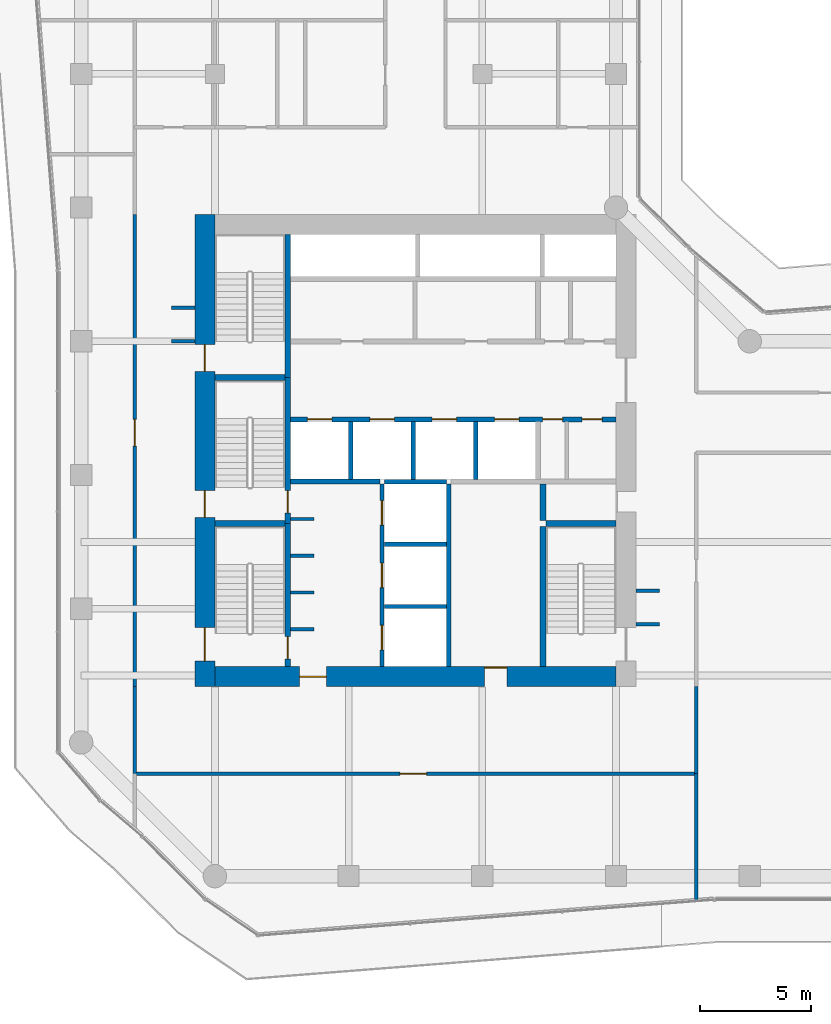
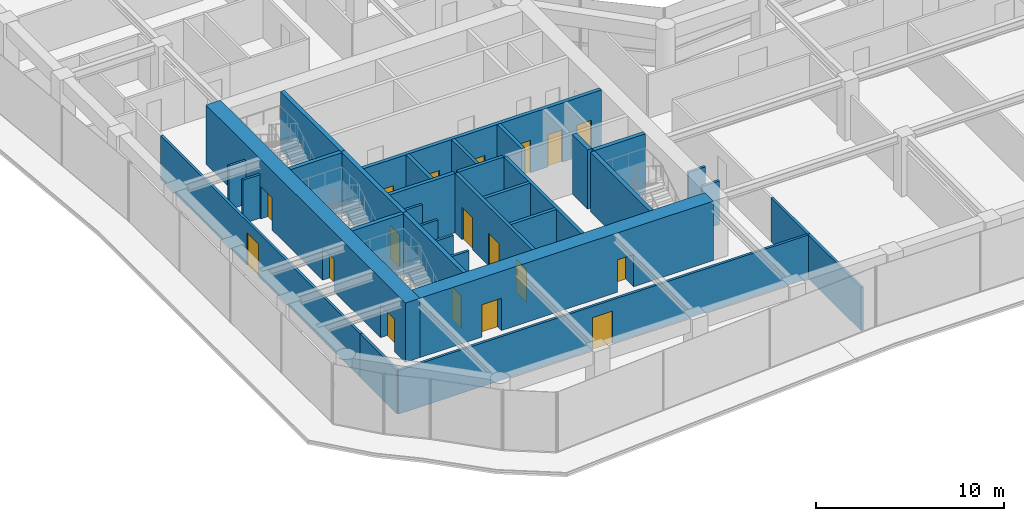
# One storey, part 22 of 28: 33 walls, 18 doors, 18 openings.
"""IFC4 building model written with IfcOpenShell, lengths in metres."""

import ifcopenshell
import ifcopenshell.guid

model = None  # the IFC model being written
_history = None  # IfcOwnerHistory: only IFC2X3 demands one
_inside = {}  # id of a spatial element -> (the spatial element, [elements in it])
_under = {}  # id of a project, library or spatial element -> (it, [spatial elements below it])
_declared = {}  # id of a project -> (the project, [libraries it declares])
_typed = {}  # id of a type object -> (the type object, [elements of that type])
_made_of = {}  # id of a material, layer set ... -> (it, [elements and type objects made of it])


def new_model(schema):
    """Start an empty IFC model of exactly this schema.

    Asked for "IFC4X3", IfcOpenShell would pick the latest addendum, in which some entities
    have other attributes; the version numbers below select the first issue.
    IFC2X3 requires an IfcOwnerHistory on every rooted entity: one is made here for all.
    """
    global model, _history
    if schema == "IFC4X3":
        model = ifcopenshell.file(schema_version=(4, 3, 0, 0))
    else:
        model = ifcopenshell.file(schema=schema)
    _inside.clear()
    _under.clear()
    _declared.clear()
    _typed.clear()
    _made_of.clear()
    _history = None
    if model.schema == "IFC2X3":
        org = make("IfcOrganization", Name="unknown")
        user = make(
            "IfcPersonAndOrganization",
            ThePerson=make("IfcPerson", FamilyName="unknown"),
            TheOrganization=org,
        )
        app = make(
            "IfcApplication",
            ApplicationDeveloper=org,
            Version="unknown",
            ApplicationFullName="unknown",
            ApplicationIdentifier="unknown",
        )
        _history = make(
            "IfcOwnerHistory",
            OwningUser=user,
            OwningApplication=app,
            ChangeAction="ADDED",
            CreationDate=0,
        )
    return model


def make(cls, **values):
    """One entity of the class cls with the attributes given. An attribute that is None is left unset."""
    return model.create_entity(
        cls, **{name: value for name, value in values.items() if value is not None}
    )


def rooted(cls, **values):
    """An entity with a GlobalId (a new one), such as an element, a storey or a relation."""
    return make(cls, GlobalId=ifcopenshell.guid.new(), OwnerHistory=_history, **values)


def si_unit(unit_type, name, prefix=None):
    """IfcSIUnit, for example si_unit("LENGTHUNIT", "METRE", prefix="MILLI")."""
    return make("IfcSIUnit", UnitType=unit_type, Prefix=prefix, Name=name)


def assignment(units):
    """IfcUnitAssignment: the units of a project."""
    return None if units is None else make("IfcUnitAssignment", Units=units)


def point(xyz):
    """IfcCartesianPoint."""
    return None if xyz is None else make("IfcCartesianPoint", Coordinates=xyz)


def direction(xyz):
    """IfcDirection."""
    return None if xyz is None else make("IfcDirection", DirectionRatios=xyz)


def frame(location, z_axis=None, x_axis=None):
    """IfcAxis2Placement3D, a coordinate frame: its origin and axes. An axis left out is left unset."""
    return make(
        "IfcAxis2Placement3D",
        Location=point(location),
        Axis=direction(z_axis),
        RefDirection=direction(x_axis),
    )


def frame_2d(location, x_axis=None):
    """IfcAxis2Placement2D, a coordinate frame in the plane: its origin and x axis."""
    return make(
        "IfcAxis2Placement2D", Location=point(location), RefDirection=direction(x_axis)
    )


def origin():
    """The frame at (0, 0, 0) with its axes left unset."""
    return frame((0.0, 0.0, 0.0))


def place(relative_to, where):
    """IfcLocalPlacement: puts the frame where relative to a parent placement (None: the world)."""
    return make(
        "IfcLocalPlacement", PlacementRelTo=relative_to, RelativePlacement=where
    )


def context(
    kind, dimensions, precision=None, world=None, true_north=None, identifier=None
):
    """IfcGeometricRepresentationContext, for example the 3D "Model" context."""
    return make(
        "IfcGeometricRepresentationContext",
        ContextIdentifier=identifier,
        ContextType=kind,
        CoordinateSpaceDimension=dimensions,
        Precision=precision,
        WorldCoordinateSystem=world,
        TrueNorth=true_north,
    )


def subcontext(parent, identifier, kind, view, scale=None):
    """IfcGeometricRepresentationSubContext, for example "Body" below "Model"."""
    return make(
        "IfcGeometricRepresentationSubContext",
        ContextIdentifier=identifier,
        ContextType=kind,
        ParentContext=parent,
        TargetScale=scale,
        TargetView=view,
    )


def project(units=None, contexts=None):
    """IfcProject with its units and contexts."""
    return rooted(
        "IfcProject",
        Name="project",
        RepresentationContexts=contexts,
        UnitsInContext=assignment(units),
    )


def spatial(cls, under=None, at=None, **own):
    """A site, building, storey or space (cls), placed at a placement, below another one or the project."""
    s = rooted(cls, ObjectPlacement=at, **own)
    if under is not None:
        _under.setdefault(under.id(), (under, []))[1].append(s)
    return s


def profile(cls, at=None, kind="AREA", **sizes):
    """A parametric profile (cls). Its sizes go by their IFC names, for example OverallWidth=200.0."""
    return make(cls, ProfileType=kind, Position=at, **sizes)


def rectangle(**sizes):
    """IfcRectangleProfileDef."""
    return profile("IfcRectangleProfileDef", **sizes)


def extrude(swept, where, along, depth):
    """IfcExtrudedAreaSolid: the profile swept, set in the frame where, extruded along a direction by depth."""
    return make(
        "IfcExtrudedAreaSolid",
        SweptArea=swept,
        Position=where,
        ExtrudedDirection=direction(along),
        Depth=depth,
    )


def shape(context_of_items, identifier, shape_type, items):
    """IfcShapeRepresentation: the items that make up one representation, for example the "Body"."""
    return make(
        "IfcShapeRepresentation",
        ContextOfItems=context_of_items,
        RepresentationIdentifier=identifier,
        RepresentationType=shape_type,
        Items=items,
    )


def material(Name=None, Category=None):
    """IfcMaterial."""
    return make("IfcMaterial", Name=Name, Category=Category)


def layer(
    of_material, thickness, ventilated=None, Name=None, Category=None, Priority=None
):
    """IfcMaterialLayer: one layer of a wall or slab, of a material (None: an air gap)."""
    return make(
        "IfcMaterialLayer",
        Material=of_material,
        LayerThickness=thickness,
        IsVentilated=ventilated,
        Name=Name,
        Category=Category,
        Priority=Priority,
    )


def layer_set(layers, Name=None):
    """IfcMaterialLayerSet."""
    return make("IfcMaterialLayerSet", MaterialLayers=layers, LayerSetName=Name)


def made_of(thing, what):
    """Note that an element or type object is made of a material, layer set ...; save() writes the relation."""
    if what is not None:
        _made_of.setdefault(what.id(), (what, []))[1].append(thing)
    return thing


def type_object(cls, material=None, **own):
    """A type object (cls), such as IfcWallType, which elements share."""
    return made_of(rooted(cls, **own), material)


def element(
    cls,
    number,
    at=None,
    inside=None,
    cuts=None,
    type_object=None,
    material=None,
    context=None,
    identifier="Body",
    shape_type=None,
    held_by="IfcProductDefinitionShape",
    body=None,
    shapes=None,
    **own,
):
    """One element of the class cls, such as IfcWall. Its Tag is "e" and its number.

    at: its placement. inside: the storey or other place that contains it. cuts: it is an
    opening in that element (IfcRelVoidsElement). A single representation is given by context,
    identifier, shape_type and body (its items); several are given by shapes. held_by: the class
    of the entity that holds the representations. save() writes the other relations.
    """
    e = rooted(cls, Tag="e%d" % number, ObjectPlacement=at, **own)
    if body is not None:
        shapes = [shape(context, identifier, shape_type, body)]
    if shapes is not None:
        e.Representation = make(held_by, Representations=shapes)
    if inside is not None:
        _inside.setdefault(inside.id(), (inside, []))[1].append(e)
    if cuts is not None:
        rooted(
            "IfcRelVoidsElement", RelatingBuildingElement=cuts, RelatedOpeningElement=e
        )
    if type_object is not None:
        _typed.setdefault(type_object.id(), (type_object, []))[1].append(e)
    return made_of(e, material)


def fill(opening, filler):
    """IfcRelFillsElement: the door or window that sits in an opening."""
    return rooted(
        "IfcRelFillsElement",
        RelatingOpeningElement=opening,
        RelatedBuildingElement=filler,
    )


def aggregate(whole, parts):
    """IfcRelAggregates: a whole, such as a stair, and the parts it consists of."""
    return rooted("IfcRelAggregates", RelatingObject=whole, RelatedObjects=parts)


def save(model, path):
    """Write the relations noted so far, then the file.

    IfcRelAggregates (storeys below a building ...), IfcRelContainedInSpatialStructure (elements
    in a storey), IfcRelDefinesByType, IfcRelAssociatesMaterial and IfcRelDeclares: one each for
    every whole, place, type object, material and project.
    """
    for whole, parts in _under.values():
        aggregate(whole, parts)
    for where, things in _inside.values():
        rooted(
            "IfcRelContainedInSpatialStructure",
            RelatedElements=things,
            RelatingStructure=where,
        )
    for kind, things in _typed.values():
        rooted("IfcRelDefinesByType", RelatedObjects=things, RelatingType=kind)
    for what, things in _made_of.values():
        rooted("IfcRelAssociatesMaterial", RelatedObjects=things, RelatingMaterial=what)
    for by, libraries in _declared.values():
        rooted("IfcRelDeclares", RelatingContext=by, RelatedDefinitions=libraries)
    model.write(path)


model = new_model("IFC4")

# Units and contexts
model_context = context("Model", 3, precision=1e-05, world=origin(), true_north=direction((0.0, 1.0)))
body_context = subcontext(model_context, "Body", "Model", "MODEL_VIEW")
ifc_project = project(units=[si_unit("LENGTHUNIT", "METRE"), si_unit("AREAUNIT", "SQUARE_METRE"), si_unit("VOLUMEUNIT", "CUBIC_METRE"), si_unit("PLANEANGLEUNIT", "RADIAN"), si_unit("MASSUNIT", "GRAM", prefix="KILO")], contexts=[model_context])

# Site, building, storey
site_placement = place(None, origin())
site = spatial("IfcSite", under=ifc_project, at=site_placement, CompositionType="ELEMENT")
building_placement = place(site_placement, origin())
building = spatial("IfcBuilding", under=site, at=building_placement, Name="Welwitschia Terrace Campus", CompositionType="ELEMENT")
storey_placement = place(building_placement, frame((0.0, 0.0, 71.0)))
storey = spatial("IfcBuildingStorey", under=building, at=storey_placement, Name="L16", CompositionType="ELEMENT", Elevation=71.0)

# Wall
ifc_material_1 = material(Name="Concrete C32/40", Category="concrete")
ifc_layer_1 = layer(ifc_material_1, 0.22509765625)
ifc_layer_set_1 = layer_set([ifc_layer_1], Name="Concrete C32/40")
wall_type_1 = type_object("IfcWallType", Name="Core partition 225 Concrete C32/40", PredefinedType="PARTITIONING", material=ifc_layer_set_1)
wall_1_placement = place(storey_placement, frame((9.39990234375, 13.699951171875, 0.0), z_axis=(0.0, 0.0, 1.0), x_axis=(1.0, 0.0, 0.0)))
element("IfcWall", 1, at=wall_1_placement, inside=storey, type_object=wall_type_1, Name="Shaft wall", PredefinedType="PARTITIONING", context=body_context, shape_type="SweptSolid", body=[
    extrude(rectangle(XDim=4.0, YDim=0.22509765625, at=frame_2d((2.0, 0.0))), origin(), (0.0, 0.0, 1.0), 3.85009765625),
])

# Wall, openings, doors
wall_2_placement = place(storey_placement, frame((9.39990234375, 16.5, 0.0), z_axis=(0.0, 0.0, 1.0), x_axis=(1.0, 0.0, 0.0)))
wall_2 = element("IfcWall", 2, at=wall_2_placement, inside=storey, type_object=wall_type_1, Name="Shaft wall", PredefinedType="PARTITIONING", context=body_context, shape_type="SweptSolid", body=[
    extrude(rectangle(XDim=14.60009765625, YDim=0.22509765625, at=frame_2d((7.300048828125, 0.0))), origin(), (0.0, 0.0, 1.0), 3.85009765625),
])
opening_1_placement = place(wall_2_placement, frame((0.75, 0.0, 0.0)))
opening_1 = element("IfcOpeningElement", 3, at=opening_1_placement, cuts=wall_2, Name="Opening LD", PredefinedType="OPENING", context=body_context, shape_type="SweptSolid", body=[
    extrude(rectangle(XDim=1.10009765625, YDim=2.10009765625, at=frame_2d((0.550048828125, 1.050048828125))), frame((0.0, 0.12255859375, 0.0), z_axis=(0.0, -1.0, 0.0), x_axis=(1.0, 0.0, 0.0)), (0.0, 0.0, 1.0), 0.2451171875),
])
opening_2_placement = place(wall_2_placement, frame((3.550048828125, 0.0, 0.0)))
opening_2 = element("IfcOpeningElement", 4, at=opening_2_placement, cuts=wall_2, Name="Opening LD", PredefinedType="OPENING", context=body_context, shape_type="SweptSolid", body=[
    extrude(rectangle(XDim=1.10009765625, YDim=2.10009765625, at=frame_2d((0.550048828125, 1.050048828125))), frame((0.0, 0.12255859375, 0.0), z_axis=(0.0, -1.0, 0.0), x_axis=(1.0, 0.0, 0.0)), (0.0, 0.0, 1.0), 0.2451171875),
])
opening_3_placement = place(wall_2_placement, frame((6.35009765625, 0.0, 0.0)))
opening_3 = element("IfcOpeningElement", 5, at=opening_3_placement, cuts=wall_2, Name="Opening LD", PredefinedType="OPENING", context=body_context, shape_type="SweptSolid", body=[
    extrude(rectangle(XDim=1.10009765625, YDim=2.10009765625, at=frame_2d((0.550048828125, 1.050048828125))), frame((0.0, 0.12255859375, 0.0), z_axis=(0.0, -1.0, 0.0), x_axis=(1.0, 0.0, 0.0)), (0.0, 0.0, 1.0), 0.2451171875),
])
opening_4_placement = place(wall_2_placement, frame((9.14990234375, 0.0, 0.0)))
opening_4 = element("IfcOpeningElement", 6, at=opening_4_placement, cuts=wall_2, Name="Opening LD", PredefinedType="OPENING", context=body_context, shape_type="SweptSolid", body=[
    extrude(rectangle(XDim=1.10009765625, YDim=2.10009765625, at=frame_2d((0.550048828125, 1.050048828125))), frame((0.0, 0.12255859375, 0.0), z_axis=(0.0, -1.0, 0.0), x_axis=(1.0, 0.0, 0.0)), (0.0, 0.0, 1.0), 0.2451171875),
])
opening_5_placement = place(wall_2_placement, frame((11.3076171875, 0.0, 0.0)))
opening_5 = element("IfcOpeningElement", 7, at=opening_5_placement, cuts=wall_2, Name="Opening DR09", PredefinedType="OPENING", context=body_context, shape_type="SweptSolid", body=[
    extrude(rectangle(XDim=0.89990234375, YDim=2.10009765625, at=frame_2d((0.449951171875, 1.050048828125))), frame((0.0, 0.12255859375, 0.0), z_axis=(0.0, -1.0, 0.0), x_axis=(1.0, 0.0, 0.0)), (0.0, 0.0, 1.0), 0.2451171875),
])
opening_6_placement = place(wall_2_placement, frame((13.08251953125, 0.0, 0.0)))
opening_6 = element("IfcOpeningElement", 8, at=opening_6_placement, cuts=wall_2, Name="Opening DR09", PredefinedType="OPENING", context=body_context, shape_type="SweptSolid", body=[
    extrude(rectangle(XDim=0.89990234375, YDim=2.10009765625, at=frame_2d((0.449951171875, 1.050048828125))), frame((0.0, 0.12255859375, 0.0), z_axis=(0.0, -1.0, 0.0), x_axis=(1.0, 0.0, 0.0)), (0.0, 0.0, 1.0), 0.2451171875),
])
ifc_material_2 = material(Name="Steel S275", Category="steel")
door_type_1 = type_object("IfcDoorType", Name="Core door DR09", OperationType="SINGLE_SWING_LEFT", PredefinedType="DOOR", material=ifc_material_2)
door_1_placement = place(opening_5_placement, origin())
door_1 = element("IfcDoor", 9, at=door_1_placement, inside=storey, type_object=door_type_1, Name="Door EL1-D", OperationType="SINGLE_SWING_RIGHT", OverallHeight=2.10009765625, OverallWidth=0.89990234375, PredefinedType="DOOR", context=body_context, shape_type="SweptSolid", body=[
    extrude(rectangle(XDim=0.89990234375, YDim=2.10009765625, at=frame_2d((0.449951171875, 1.050048828125))), frame((0.0, 0.02490234375, 0.0), z_axis=(0.0, -1.0, 0.0), x_axis=(1.0, 0.0, 0.0)), (0.0, 0.0, 1.0), 0.050048828125),
])
fill(opening_5, door_1)
door_2_placement = place(opening_6_placement, origin())
door_2 = element("IfcDoor", 10, at=door_2_placement, inside=storey, type_object=door_type_1, Name="Door EL2-D", OperationType="SINGLE_SWING_RIGHT", OverallHeight=2.10009765625, OverallWidth=0.89990234375, PredefinedType="DOOR", context=body_context, shape_type="SweptSolid", body=[
    extrude(rectangle(XDim=0.89990234375, YDim=2.10009765625, at=frame_2d((0.449951171875, 1.050048828125))), frame((0.0, 0.02490234375, 0.0), z_axis=(0.0, -1.0, 0.0), x_axis=(1.0, 0.0, 0.0)), (0.0, 0.0, 1.0), 0.050048828125),
])
fill(opening_6, door_2)
ifc_material_3 = material(Name="Stainless steel 304", Category="steel")
door_type_2 = type_object("IfcDoorType", Name="Lift landing door", OperationType="DOUBLE_DOOR_SLIDING", PredefinedType="DOOR", material=ifc_material_3)
door_3_placement = place(opening_1_placement, origin())
door_3 = element("IfcDoor", 11, at=door_3_placement, inside=storey, type_object=door_type_2, Name="Landing door LR1", OperationType="DOUBLE_DOOR_SLIDING", OverallHeight=2.10009765625, OverallWidth=1.10009765625, PredefinedType="DOOR", context=body_context, shape_type="SweptSolid", body=[
    extrude(rectangle(XDim=1.10009765625, YDim=2.10009765625, at=frame_2d((0.550048828125, 1.050048828125))), frame((0.0, 0.02490234375, 0.0), z_axis=(0.0, -1.0, 0.0), x_axis=(1.0, 0.0, 0.0)), (0.0, 0.0, 1.0), 0.050048828125),
])
fill(opening_1, door_3)
door_4_placement = place(opening_2_placement, origin())
door_4 = element("IfcDoor", 12, at=door_4_placement, inside=storey, type_object=door_type_2, Name="Landing door LR2", OperationType="DOUBLE_DOOR_SLIDING", OverallHeight=2.10009765625, OverallWidth=1.10009765625, PredefinedType="DOOR", context=body_context, shape_type="SweptSolid", body=[
    extrude(rectangle(XDim=1.10009765625, YDim=2.10009765625, at=frame_2d((0.550048828125, 1.050048828125))), frame((0.0, 0.02490234375, 0.0), z_axis=(0.0, -1.0, 0.0), x_axis=(1.0, 0.0, 0.0)), (0.0, 0.0, 1.0), 0.050048828125),
])
fill(opening_2, door_4)
door_5_placement = place(opening_3_placement, origin())
door_5 = element("IfcDoor", 13, at=door_5_placement, inside=storey, type_object=door_type_2, Name="Landing door LR3", OperationType="DOUBLE_DOOR_SLIDING", OverallHeight=2.10009765625, OverallWidth=1.10009765625, PredefinedType="DOOR", context=body_context, shape_type="SweptSolid", body=[
    extrude(rectangle(XDim=1.10009765625, YDim=2.10009765625, at=frame_2d((0.550048828125, 1.050048828125))), frame((0.0, 0.02490234375, 0.0), z_axis=(0.0, -1.0, 0.0), x_axis=(1.0, 0.0, 0.0)), (0.0, 0.0, 1.0), 0.050048828125),
])
fill(opening_3, door_5)
door_6_placement = place(opening_4_placement, origin())
door_6 = element("IfcDoor", 14, at=door_6_placement, inside=storey, type_object=door_type_2, Name="Landing door LR4", OperationType="DOUBLE_DOOR_SLIDING", OverallHeight=2.10009765625, OverallWidth=1.10009765625, PredefinedType="DOOR", context=body_context, shape_type="SweptSolid", body=[
    extrude(rectangle(XDim=1.10009765625, YDim=2.10009765625, at=frame_2d((0.550048828125, 1.050048828125))), frame((0.0, 0.02490234375, 0.0), z_axis=(0.0, -1.0, 0.0), x_axis=(1.0, 0.0, 0.0)), (0.0, 0.0, 1.0), 0.050048828125),
])
fill(opening_4, door_6)

# Walls
ifc_material_4 = material(Name="Concrete C32/40", Category="concrete")
ifc_layer_2 = layer(ifc_material_4, 0.27490234375)
ifc_layer_set_2 = layer_set([ifc_layer_2], Name="Concrete C32/40")
wall_type_2 = type_object("IfcWallType", Name="Core partition 275 Concrete C32/40", PredefinedType="PARTITIONING", material=ifc_layer_set_2)
wall_3_placement = place(storey_placement, frame((20.72509765625, 11.949951171875, 0.0), z_axis=(0.0, 0.0, 1.0), x_axis=(0.0, 1.0, 0.0)))
element("IfcWall", 15, at=wall_3_placement, inside=storey, type_object=wall_type_2, Name="Core partition", PredefinedType="PARTITIONING", context=body_context, shape_type="SweptSolid", body=[
    extrude(rectangle(XDim=1.650146484375, YDim=0.27490234375, at=frame_2d((0.8251953125, 0.0))), origin(), (0.0, 0.0, 1.0), 3.85009765625),
])
ifc_material_5 = material(Name="Concrete C50/60", Category="concrete")
ifc_layer_3 = layer(ifc_material_5, 0.14990234375)
ifc_layer_set_3 = layer_set([ifc_layer_3], Name="Concrete C50/60")
wall_type_3 = type_object("IfcWallType", Name="Core wall 150 Concrete C50/60", PredefinedType="SHEAR", material=ifc_layer_set_3)
for number, where, z_axis, x_axis, name in (
    (16, (9.39990234375, 7.074951171875, 0.0), (0.0, 0.0, 1.0), (1.0, 0.0, 0.0), "Core wall"),
    (17, (9.39990234375, 8.72509765625, 0.0), (0.0, 0.0, 1.0), (1.0, 0.0, 0.0), "Core wall"),
    (18, (9.39990234375, 10.375, 0.0), (0.0, 0.0, 1.0), (1.0, 0.0, 0.0), "Core wall"),
    (19, (9.39990234375, 12.02490234375, 0.0), (0.0, 0.0, 1.0), (1.0, 0.0, 0.0), "Core wall"),
):
    element("IfcWall", number, at=place(storey_placement, frame(where, z_axis=z_axis, x_axis=x_axis)), inside=storey, type_object=wall_type_3, Name=name, PredefinedType="SHEAR", context=body_context, shape_type="SweptSolid", body=[
        extrude(rectangle(XDim=1.050048828125, YDim=0.14990234375, at=frame_2d((0.52490234375, 0.0))), origin(), (0.0, 0.0, 1.0), 3.85009765625),
    ])
ifc_material_6 = material(Name="Concrete C50/60", Category="concrete")
ifc_layer_4 = layer(ifc_material_6, 0.199951171875)
ifc_layer_set_4 = layer_set([ifc_layer_4], Name="Concrete C50/60")
wall_type_4 = type_object("IfcWallType", Name="Core wall 200 Concrete C50/60", PredefinedType="SHEAR", material=ifc_layer_set_4)
for number, where, z_axis, x_axis, name in (
    (20, (13.60009765625, 8.10009765625, 0.0), (0.0, 0.0, 1.0), (1.0, 0.0, 0.0), "Core wall"),
    (21, (13.60009765625, 10.89990234375, 0.0), (0.0, 0.0, 1.0), (1.0, 0.0, 0.0), "Core wall"),
    (22, (13.60009765625, 13.699951171875, 0.0), (0.0, 0.0, 1.0), (1.0, 0.0, 0.0), "Core wall"),
):
    element("IfcWall", number, at=place(storey_placement, frame(where, z_axis=z_axis, x_axis=x_axis)), inside=storey, type_object=wall_type_4, Name=name, PredefinedType="SHEAR", context=body_context, shape_type="SweptSolid", body=[
        extrude(rectangle(XDim=2.7998046875, YDim=0.199951171875, at=frame_2d((1.39990234375, 0.0))), origin(), (0.0, 0.0, 1.0), 3.85009765625),
    ])

# Wall, openings, doors
wall_4_placement = place(storey_placement, frame((13.5, 5.39990234375, 0.0), z_axis=(0.0, 0.0, 1.0), x_axis=(0.0, 1.0, 0.0)))
wall_4 = element("IfcWall", 23, at=wall_4_placement, inside=storey, type_object=wall_type_4, Name="Core wall", PredefinedType="SHEAR", context=body_context, shape_type="SweptSolid", body=[
    extrude(rectangle(XDim=8.2001953125, YDim=0.199951171875, at=frame_2d((4.10009765625, 0.0))), origin(), (0.0, 0.0, 1.0), 3.85009765625),
])
opening_7_placement = place(wall_4_placement, frame((0.75, 0.0, 0.0)))
opening_7 = element("IfcOpeningElement", 24, at=opening_7_placement, cuts=wall_4, Name="Opening LD", PredefinedType="OPENING", context=body_context, shape_type="SweptSolid", body=[
    extrude(rectangle(XDim=1.10009765625, YDim=2.10009765625, at=frame_2d((0.550048828125, 1.050048828125))), frame((0.0, 0.10986328125, 0.0), z_axis=(0.0, -1.0, 0.0), x_axis=(1.0, 0.0, 0.0)), (0.0, 0.0, 1.0), 0.219970703125),
])
opening_8_placement = place(wall_4_placement, frame((3.550048828125, 0.0, 0.0)))
opening_8 = element("IfcOpeningElement", 25, at=opening_8_placement, cuts=wall_4, Name="Opening LD", PredefinedType="OPENING", context=body_context, shape_type="SweptSolid", body=[
    extrude(rectangle(XDim=1.10009765625, YDim=2.10009765625, at=frame_2d((0.550048828125, 1.050048828125))), frame((0.0, 0.10986328125, 0.0), z_axis=(0.0, -1.0, 0.0), x_axis=(1.0, 0.0, 0.0)), (0.0, 0.0, 1.0), 0.219970703125),
])
opening_9_placement = place(wall_4_placement, frame((6.35009765625, 0.0, 0.0)))
opening_9 = element("IfcOpeningElement", 26, at=opening_9_placement, cuts=wall_4, Name="Opening LD", PredefinedType="OPENING", context=body_context, shape_type="SweptSolid", body=[
    extrude(rectangle(XDim=1.10009765625, YDim=2.10009765625, at=frame_2d((0.550048828125, 1.050048828125))), frame((0.0, 0.10986328125, 0.0), z_axis=(0.0, -1.0, 0.0), x_axis=(1.0, 0.0, 0.0)), (0.0, 0.0, 1.0), 0.219970703125),
])
door_7_placement = place(opening_7_placement, origin())
door_7 = element("IfcDoor", 27, at=door_7_placement, inside=storey, type_object=door_type_2, Name="Landing door FF1", OperationType="DOUBLE_DOOR_SLIDING", OverallHeight=2.10009765625, OverallWidth=1.10009765625, PredefinedType="DOOR", context=body_context, shape_type="SweptSolid", body=[
    extrude(rectangle(XDim=1.10009765625, YDim=2.10009765625, at=frame_2d((0.550048828125, 1.050048828125))), frame((0.0, 0.02490234375, 0.0), z_axis=(0.0, -1.0, 0.0), x_axis=(1.0, 0.0, 0.0)), (0.0, 0.0, 1.0), 0.050048828125),
])
fill(opening_7, door_7)
door_8_placement = place(opening_8_placement, origin())
door_8 = element("IfcDoor", 28, at=door_8_placement, inside=storey, type_object=door_type_2, Name="Landing door FF2", OperationType="DOUBLE_DOOR_SLIDING", OverallHeight=2.10009765625, OverallWidth=1.10009765625, PredefinedType="DOOR", context=body_context, shape_type="SweptSolid", body=[
    extrude(rectangle(XDim=1.10009765625, YDim=2.10009765625, at=frame_2d((0.550048828125, 1.050048828125))), frame((0.0, 0.02490234375, 0.0), z_axis=(0.0, -1.0, 0.0), x_axis=(1.0, 0.0, 0.0)), (0.0, 0.0, 1.0), 0.050048828125),
])
fill(opening_8, door_8)
door_9_placement = place(opening_9_placement, origin())
door_9 = element("IfcDoor", 29, at=door_9_placement, inside=storey, type_object=door_type_2, Name="Landing door SV1", OperationType="DOUBLE_DOOR_SLIDING", OverallHeight=2.10009765625, OverallWidth=1.10009765625, PredefinedType="DOOR", context=body_context, shape_type="SweptSolid", body=[
    extrude(rectangle(XDim=1.10009765625, YDim=2.10009765625, at=frame_2d((0.550048828125, 1.050048828125))), frame((0.0, 0.02490234375, 0.0), z_axis=(0.0, -1.0, 0.0), x_axis=(1.0, 0.0, 0.0)), (0.0, 0.0, 1.0), 0.050048828125),
])
fill(opening_9, door_9)

# Walls
wall_5_placement = place(storey_placement, frame((16.5, 5.39990234375, 0.0), z_axis=(0.0, 0.0, 1.0), x_axis=(0.0, 1.0, 0.0)))
element("IfcWall", 30, at=wall_5_placement, inside=storey, type_object=wall_type_4, Name="Core wall", PredefinedType="SHEAR", context=body_context, shape_type="SweptSolid", body=[
    extrude(rectangle(XDim=8.2001953125, YDim=0.199951171875, at=frame_2d((4.10009765625, 0.0))), origin(), (0.0, 0.0, 1.0), 3.85009765625),
])
ifc_material_7 = material(Name="Concrete C50/60", Category="concrete")
ifc_layer_5 = layer(ifc_material_7, 0.25)
ifc_layer_set_5 = layer_set([ifc_layer_5], Name="Concrete C50/60")
wall_type_5 = type_object("IfcWallType", Name="Core wall 250 Concrete C50/60", PredefinedType="SHEAR", material=ifc_layer_set_5)
for number, where, z_axis, x_axis, name in (
    (31, (6.0, 11.824951171875, 0.0), (0.0, 0.0, 1.0), (1.0, 0.0, 0.0), "Core wall"),
    (32, (20.85009765625, 11.824951171875, 0.0), (0.0, 0.0, 1.0), (1.0, 0.0, 0.0), "Core wall"),
    (33, (6.0, 18.375, 0.0), (0.0, 0.0, 1.0), (1.0, 0.0, 0.0), "Core wall"),
):
    element("IfcWall", number, at=place(storey_placement, frame(where, z_axis=z_axis, x_axis=x_axis)), inside=storey, type_object=wall_type_5, Name=name, PredefinedType="SHEAR", context=body_context, shape_type="SweptSolid", body=[
        extrude(rectangle(XDim=3.14990234375, YDim=0.25, at=frame_2d((1.574951171875, 0.0))), origin(), (0.0, 0.0, 1.0), 3.85009765625),
    ])

# Wall, opening, door
wall_6_placement = place(storey_placement, frame((9.27490234375, 11.824951171875, 0.0), z_axis=(0.0, 0.0, 1.0), x_axis=(0.0, -1.0, 0.0)))
wall_6 = element("IfcWall", 34, at=wall_6_placement, inside=storey, type_object=wall_type_5, Name="Core wall", PredefinedType="SHEAR", context=body_context, shape_type="SweptSolid", body=[
    extrude(rectangle(XDim=6.425048828125, YDim=0.25, at=frame_2d((3.21240234375, 0.0))), origin(), (0.0, 0.0, 1.0), 3.85009765625),
])
opening_10_placement = place(wall_6_placement, frame((5.074951171875, 0.0, 0.0)))
opening_10 = element("IfcOpeningElement", 35, at=opening_10_placement, cuts=wall_6, Name="Opening DS10", PredefinedType="OPENING", context=body_context, shape_type="SweptSolid", body=[
    extrude(rectangle(XDim=1.0, YDim=2.10009765625, at=frame_2d((0.5, 1.050048828125))), frame((0.0, 0.135009765625, 0.0), z_axis=(0.0, -1.0, 0.0), x_axis=(1.0, 0.0, 0.0)), (0.0, 0.0, 1.0), 0.27001953125),
])
ifc_material_8 = material(Name="Steel S275", Category="steel")
door_type_3 = type_object("IfcDoorType", Name="Core door DS10", OperationType="SINGLE_SWING_LEFT", PredefinedType="DOOR", material=ifc_material_8)
door_10_placement = place(opening_10_placement, origin())
door_10 = element("IfcDoor", 36, at=door_10_placement, inside=storey, type_object=door_type_3, Name="Door S1-FL", OperationType="SINGLE_SWING_RIGHT", OverallHeight=2.10009765625, OverallWidth=1.0, PredefinedType="DOOR", context=body_context, shape_type="SweptSolid", body=[
    extrude(rectangle(XDim=1.0, YDim=2.10009765625, at=frame_2d((0.5, 1.050048828125))), frame((0.0, 0.02490234375, 0.0), z_axis=(0.0, -1.0, 0.0), x_axis=(1.0, 0.0, 0.0)), (0.0, 0.0, 1.0), 0.050048828125),
])
fill(opening_10, door_10)

wall_7_placement = place(storey_placement, frame((9.27490234375, 18.375, 0.0), z_axis=(0.0, 0.0, 1.0), x_axis=(0.0, -1.0, 0.0)))
wall_7 = element("IfcWall", 37, at=wall_7_placement, inside=storey, type_object=wall_type_5, Name="Core wall", PredefinedType="SHEAR", context=body_context, shape_type="SweptSolid", body=[
    extrude(rectangle(XDim=6.550048828125, YDim=0.25, at=frame_2d((3.27490234375, 0.0))), origin(), (0.0, 0.0, 1.0), 3.85009765625),
])
opening_11_placement = place(wall_7_placement, frame((5.074951171875, 0.0, 0.0)))
opening_11 = element("IfcOpeningElement", 38, at=opening_11_placement, cuts=wall_7, Name="Opening DS10", PredefinedType="OPENING", context=body_context, shape_type="SweptSolid", body=[
    extrude(rectangle(XDim=1.0, YDim=2.10009765625, at=frame_2d((0.5, 1.050048828125))), frame((0.0, 0.135009765625, 0.0), z_axis=(0.0, -1.0, 0.0), x_axis=(1.0, 0.0, 0.0)), (0.0, 0.0, 1.0), 0.27001953125),
])
door_11_placement = place(opening_11_placement, origin())
door_11 = element("IfcDoor", 39, at=door_11_placement, inside=storey, type_object=door_type_3, Name="Door S3-FL", OperationType="SINGLE_SWING_RIGHT", OverallHeight=2.10009765625, OverallWidth=1.0, PredefinedType="DOOR", context=body_context, shape_type="SweptSolid", body=[
    extrude(rectangle(XDim=1.0, YDim=2.10009765625, at=frame_2d((0.5, 1.050048828125))), frame((0.0, 0.02490234375, 0.0), z_axis=(0.0, -1.0, 0.0), x_axis=(1.0, 0.0, 0.0)), (0.0, 0.0, 1.0), 0.050048828125),
])
fill(opening_11, door_11)

# Walls
wall_8_placement = place(storey_placement, frame((9.27490234375, 18.375, 0.0), z_axis=(0.0, 0.0, 1.0), x_axis=(0.0, 1.0, 0.0)))
element("IfcWall", 40, at=wall_8_placement, inside=storey, type_object=wall_type_5, Name="Core wall", PredefinedType="SHEAR", context=body_context, shape_type="SweptSolid", body=[
    extrude(rectangle(XDim=6.425048828125, YDim=0.25, at=frame_2d((3.21240234375, 0.0))), origin(), (0.0, 0.0, 1.0), 3.85009765625),
])
wall_9_placement = place(storey_placement, frame((20.72509765625, 5.39990234375, 0.0), z_axis=(0.0, 0.0, 1.0), x_axis=(0.0, 1.0, 0.0)))
element("IfcWall", 41, at=wall_9_placement, inside=storey, type_object=wall_type_5, Name="Core wall", PredefinedType="SHEAR", context=body_context, shape_type="SweptSolid", body=[
    extrude(rectangle(XDim=6.300048828125, YDim=0.25, at=frame_2d((3.14990234375, 0.0))), origin(), (0.0, 0.0, 1.0), 3.85009765625),
])

# Wall, openings, doors
ifc_material_9 = material(Name="Concrete C70/85", Category="concrete")
ifc_layer_6 = layer(ifc_material_9, 0.89990234375)
ifc_layer_set_6 = layer_set([ifc_layer_6], Name="Concrete C70/85")
wall_type_6 = type_object("IfcWallType", Name="Core wall 900 Concrete C70/85", PredefinedType="SHEAR", material=ifc_layer_set_6)
wall_10_placement = place(storey_placement, frame((5.550048828125, 4.5, 0.0), z_axis=(0.0, 0.0, 1.0), x_axis=(0.0, 1.0, 0.0)))
wall_10 = element("IfcWall", 42, at=wall_10_placement, inside=storey, type_object=wall_type_6, Name="Core outer wall", PredefinedType="SHEAR", context=body_context, shape_type="SweptSolid", body=[
    extrude(rectangle(XDim=21.199951171875, YDim=0.89990234375, at=frame_2d((10.60009765625, 0.0))), origin(), (0.0, 0.0, 1.0), 3.85009765625),
])
opening_12_placement = place(wall_10_placement, frame((1.14990234375, 0.0, 0.0)))
opening_12 = element("IfcOpeningElement", 43, at=opening_12_placement, cuts=wall_10, Name="Opening DS15", PredefinedType="OPENING", context=body_context, shape_type="SweptSolid", body=[
    extrude(rectangle(XDim=1.5, YDim=2.10009765625, at=frame_2d((0.75, 1.050048828125))), frame((0.0, 0.4599609375, 0.0), z_axis=(0.0, -1.0, 0.0), x_axis=(1.0, 0.0, 0.0)), (0.0, 0.0, 1.0), 0.919921875),
])
opening_13_placement = place(wall_10_placement, frame((7.60009765625, 0.0, 0.0)))
opening_13 = element("IfcOpeningElement", 44, at=opening_13_placement, cuts=wall_10, Name="Opening DS12", PredefinedType="OPENING", context=body_context, shape_type="SweptSolid", body=[
    extrude(rectangle(XDim=1.199951171875, YDim=2.10009765625, at=frame_2d((0.60009765625, 1.050048828125))), frame((0.0, 0.4599609375, 0.0), z_axis=(0.0, -1.0, 0.0), x_axis=(1.0, 0.0, 0.0)), (0.0, 0.0, 1.0), 0.919921875),
])
opening_14_placement = place(wall_10_placement, frame((14.14990234375, 0.0, 0.0)))
opening_14 = element("IfcOpeningElement", 45, at=opening_14_placement, cuts=wall_10, Name="Opening DS12", PredefinedType="OPENING", context=body_context, shape_type="SweptSolid", body=[
    extrude(rectangle(XDim=1.199951171875, YDim=2.10009765625, at=frame_2d((0.60009765625, 1.050048828125))), frame((0.0, 0.4599609375, 0.0), z_axis=(0.0, -1.0, 0.0), x_axis=(1.0, 0.0, 0.0)), (0.0, 0.0, 1.0), 0.919921875),
])
ifc_material_10 = material(Name="Steel S275", Category="steel")
door_type_4 = type_object("IfcDoorType", Name="Core door DS12", OperationType="SINGLE_SWING_LEFT", PredefinedType="DOOR", material=ifc_material_10)
door_12_placement = place(opening_13_placement, origin())
door_12 = element("IfcDoor", 46, at=door_12_placement, inside=storey, type_object=door_type_4, Name="Door S3-out", OperationType="SINGLE_SWING_LEFT", OverallHeight=2.10009765625, OverallWidth=1.199951171875, PredefinedType="DOOR", context=body_context, shape_type="SweptSolid", body=[
    extrude(rectangle(XDim=1.199951171875, YDim=2.10009765625, at=frame_2d((0.60009765625, 1.050048828125))), frame((0.0, 0.02490234375, 0.0), z_axis=(0.0, -1.0, 0.0), x_axis=(1.0, 0.0, 0.0)), (0.0, 0.0, 1.0), 0.050048828125),
])
fill(opening_13, door_12)
door_13_placement = place(opening_14_placement, origin())
door_13 = element("IfcDoor", 47, at=door_13_placement, inside=storey, type_object=door_type_4, Name="Door S4-out", OperationType="SINGLE_SWING_RIGHT", OverallHeight=2.10009765625, OverallWidth=1.199951171875, PredefinedType="DOOR", context=body_context, shape_type="SweptSolid", body=[
    extrude(rectangle(XDim=1.199951171875, YDim=2.10009765625, at=frame_2d((0.60009765625, 1.050048828125))), frame((0.0, 0.02490234375, 0.0), z_axis=(0.0, -1.0, 0.0), x_axis=(1.0, 0.0, 0.0)), (0.0, 0.0, 1.0), 0.050048828125),
])
fill(opening_14, door_13)
ifc_material_11 = material(Name="Steel S275", Category="steel")
door_type_5 = type_object("IfcDoorType", Name="Core door DS15", OperationType="DOUBLE_DOOR_SINGLE_SWING", PredefinedType="DOOR", material=ifc_material_11)
door_14_placement = place(opening_12_placement, origin())
door_14 = element("IfcDoor", 48, at=door_14_placement, inside=storey, type_object=door_type_5, Name="Door S1-out", OperationType="DOUBLE_DOOR_SINGLE_SWING", OverallHeight=2.10009765625, OverallWidth=1.5, PredefinedType="DOOR", context=body_context, shape_type="SweptSolid", body=[
    extrude(rectangle(XDim=1.5, YDim=2.10009765625, at=frame_2d((0.75, 1.050048828125))), frame((0.0, 0.02490234375, 0.0), z_axis=(0.0, -1.0, 0.0), x_axis=(1.0, 0.0, 0.0)), (0.0, 0.0, 1.0), 0.050048828125),
])
fill(opening_12, door_14)

wall_11_placement = place(storey_placement, frame((24.0, 4.949951171875, 0.0), z_axis=(0.0, 0.0, 1.0), x_axis=(-1.0, 0.0, 0.0)))
wall_11 = element("IfcWall", 49, at=wall_11_placement, inside=storey, type_object=wall_type_6, Name="Core outer wall", PredefinedType="SHEAR", context=body_context, shape_type="SweptSolid", body=[
    extrude(rectangle(XDim=18.0, YDim=0.89990234375, at=frame_2d((9.0, 0.0))), origin(), (0.0, 0.0, 1.0), 3.85009765625),
])
opening_15_placement = place(wall_11_placement, frame((13.0, 0.0, 0.0)))
opening_15 = element("IfcOpeningElement", 50, at=opening_15_placement, cuts=wall_11, Name="Opening DF12", PredefinedType="OPENING", context=body_context, shape_type="SweptSolid", body=[
    extrude(rectangle(XDim=1.199951171875, YDim=2.10009765625, at=frame_2d((0.60009765625, 1.050048828125))), frame((0.0, 0.4599609375, 0.0), z_axis=(0.0, -1.0, 0.0), x_axis=(1.0, 0.0, 0.0)), (0.0, 0.0, 1.0), 0.919921875),
])
opening_16_placement = place(wall_11_placement, frame((4.89990234375, 0.0, 0.0)))
opening_16 = element("IfcOpeningElement", 51, at=opening_16_placement, cuts=wall_11, Name="Opening DR10", PredefinedType="OPENING", context=body_context, shape_type="SweptSolid", body=[
    extrude(rectangle(XDim=1.0, YDim=2.10009765625, at=frame_2d((0.5, 1.050048828125))), frame((0.0, 0.4599609375, 0.0), z_axis=(0.0, -1.0, 0.0), x_axis=(1.0, 0.0, 0.0)), (0.0, 0.0, 1.0), 0.919921875),
])
ifc_material_12 = material(Name="Steel S275", Category="steel")
door_type_6 = type_object("IfcDoorType", Name="Core door DF12", OperationType="SINGLE_SWING_LEFT", PredefinedType="DOOR", material=ifc_material_12)
door_15_placement = place(opening_15_placement, origin())
door_15 = element("IfcDoor", 52, at=door_15_placement, inside=storey, type_object=door_type_6, Name="Door FL-out", OperationType="SINGLE_SWING_RIGHT", OverallHeight=2.10009765625, OverallWidth=1.199951171875, PredefinedType="DOOR", context=body_context, shape_type="SweptSolid", body=[
    extrude(rectangle(XDim=1.199951171875, YDim=2.10009765625, at=frame_2d((0.60009765625, 1.050048828125))), frame((0.0, 0.02490234375, 0.0), z_axis=(0.0, -1.0, 0.0), x_axis=(1.0, 0.0, 0.0)), (0.0, 0.0, 1.0), 0.050048828125),
])
fill(opening_15, door_15)
ifc_material_13 = material(Name="Steel S275", Category="steel")
door_type_7 = type_object("IfcDoorType", Name="Core door DR10", OperationType="SINGLE_SWING_LEFT", PredefinedType="DOOR", material=ifc_material_13)
door_16_placement = place(opening_16_placement, origin())
door_16 = element("IfcDoor", 53, at=door_16_placement, inside=storey, type_object=door_type_7, Name="Door F1-out", OperationType="SINGLE_SWING_LEFT", OverallHeight=2.10009765625, OverallWidth=1.0, PredefinedType="DOOR", context=body_context, shape_type="SweptSolid", body=[
    extrude(rectangle(XDim=1.0, YDim=2.10009765625, at=frame_2d((0.5, 1.050048828125))), frame((0.0, -0.39013671875, 0.0), z_axis=(0.0, -1.0, 0.0), x_axis=(1.0, 0.0, 0.0)), (0.0, 0.0, 1.0), 0.050048828125),
])
fill(opening_16, door_16)

# Wall
ifc_material_14 = material(Name="Gypsum board on steel studs", Category="steel")
ifc_layer_7 = layer(ifc_material_14, 0.14990234375)
ifc_layer_set_7 = layer_set([ifc_layer_7], Name="Gypsum board on steel studs")
wall_type_7 = type_object("IfcWallType", Name="Corridor partition 150 EI 30", PredefinedType="PARTITIONING", material=ifc_layer_set_7)
wall_12_placement = place(storey_placement, frame((2.39990234375, 0.60009765625, 0.0), z_axis=(0.0, 0.0, 1.0), x_axis=(0.0, 1.0, 0.0)))
element("IfcWall", 54, at=wall_12_placement, inside=storey, type_object=wall_type_7, Name="Partition", PredefinedType="PARTITIONING", context=body_context, shape_type="SweptSolid", body=[
    extrude(rectangle(XDim=3.89990234375, YDim=0.14990234375, at=frame_2d((1.949951171875, 0.0))), origin(), (0.0, 0.0, 1.0), 2.830078125),
])

# Wall, opening, door
wall_13_placement = place(storey_placement, frame((2.39990234375, 4.5, 0.0), z_axis=(0.0, 0.0, 1.0), x_axis=(0.0, 1.0, 0.0)))
wall_13 = element("IfcWall", 55, at=wall_13_placement, inside=storey, type_object=wall_type_7, Name="Partition", PredefinedType="PARTITIONING", context=body_context, shape_type="SweptSolid", body=[
    extrude(rectangle(XDim=21.199951171875, YDim=0.14990234375, at=frame_2d((10.60009765625, 0.0))), origin(), (0.0, 0.0, 1.0), 2.830078125),
])
opening_17_placement = place(wall_13_placement, frame((10.800048828125, 0.0, 0.0)))
opening_17 = element("IfcOpeningElement", 56, at=opening_17_placement, cuts=wall_13, Name="Opening DI12", PredefinedType="OPENING", context=body_context, shape_type="SweptSolid", body=[
    extrude(rectangle(XDim=1.199951171875, YDim=2.10009765625, at=frame_2d((0.60009765625, 1.050048828125))), frame((0.0, 0.0849609375, 0.0), z_axis=(0.0, -1.0, 0.0), x_axis=(1.0, 0.0, 0.0)), (0.0, 0.0, 1.0), 0.169921875),
])
ifc_material_15 = material(Name="Timber veneered door", Category="wood")
door_type_8 = type_object("IfcDoorType", Name="Interior door DI12", OperationType="NOTDEFINED", PredefinedType="DOOR", material=ifc_material_15)
door_17_placement = place(opening_17_placement, origin())
door_17 = element("IfcDoor", 57, at=door_17_placement, inside=storey, type_object=door_type_8, Name="Door L16 359", OperationType="SINGLE_SWING_RIGHT", OverallHeight=2.10009765625, OverallWidth=1.199951171875, PredefinedType="DOOR", context=body_context, shape_type="SweptSolid", body=[
    extrude(rectangle(XDim=1.199951171875, YDim=2.10009765625, at=frame_2d((0.60009765625, 1.050048828125))), frame((0.0, 0.02490234375, 0.0), z_axis=(0.0, -1.0, 0.0), x_axis=(1.0, 0.0, 0.0)), (0.0, 0.0, 1.0), 0.050048828125),
])
fill(opening_17, door_17)

# Walls
for number, where, z_axis, x_axis, name in (
    (58, (4.050048828125, 20.0, 0.0), (0.0, 0.0, 1.0), (1.0, 0.0, 0.0), "Partition"),
    (59, (4.050048828125, 21.5, 0.0), (0.0, 0.0, 1.0), (1.0, 0.0, 0.0), "Partition"),
    (60, (24.89990234375, 7.300048828125, 0.0), (0.0, 0.0, 1.0), (1.0, 0.0, 0.0), "Partition"),
    (61, (24.89990234375, 8.800048828125, 0.0), (0.0, 0.0, 1.0), (1.0, 0.0, 0.0), "Partition"),
):
    element("IfcWall", number, at=place(storey_placement, frame(where, z_axis=z_axis, x_axis=x_axis)), inside=storey, type_object=wall_type_7, Name=name, PredefinedType="PARTITIONING", context=body_context, shape_type="SweptSolid", body=[
        extrude(rectangle(XDim=1.050048828125, YDim=0.14990234375, at=frame_2d((0.52490234375, 0.0))), origin(), (0.0, 0.0, 1.0), 2.830078125),
    ])
wall_14_placement = place(storey_placement, frame((27.60009765625, -5.070068359375, 0.0), z_axis=(0.0, 0.0, 1.0), x_axis=(0.0, 1.0, 0.0)))
element("IfcWall", 62, at=wall_14_placement, inside=storey, type_object=wall_type_7, Name="Partition", PredefinedType="PARTITIONING", context=body_context, shape_type="SweptSolid", body=[
    extrude(rectangle(XDim=5.670166015625, YDim=0.14990234375, at=frame_2d((2.8349609375, 0.0))), origin(), (0.0, 0.0, 1.0), 2.830078125),
])

# Wall, opening, door
wall_15_placement = place(storey_placement, frame((27.60009765625, 0.60009765625, 0.0), z_axis=(0.0, 0.0, 1.0), x_axis=(-1.0, 0.0, 0.0)))
wall_15 = element("IfcWall", 63, at=wall_15_placement, inside=storey, type_object=wall_type_7, Name="Partition", PredefinedType="PARTITIONING", context=body_context, shape_type="SweptSolid", body=[
    extrude(rectangle(XDim=25.2001953125, YDim=0.14990234375, at=frame_2d((12.60009765625, 0.0))), origin(), (0.0, 0.0, 1.0), 2.830078125),
])
opening_18_placement = place(wall_15_placement, frame((12.10009765625, 0.0, 0.0)))
opening_18 = element("IfcOpeningElement", 64, at=opening_18_placement, cuts=wall_15, Name="Opening DI12", PredefinedType="OPENING", context=body_context, shape_type="SweptSolid", body=[
    extrude(rectangle(XDim=1.199951171875, YDim=2.10009765625, at=frame_2d((0.60009765625, 1.050048828125))), frame((0.0, 0.0849609375, 0.0), z_axis=(0.0, -1.0, 0.0), x_axis=(1.0, 0.0, 0.0)), (0.0, 0.0, 1.0), 0.169921875),
])
door_18_placement = place(opening_18_placement, origin())
door_18 = element("IfcDoor", 65, at=door_18_placement, inside=storey, type_object=door_type_8, Name="Door L16 373", OperationType="SINGLE_SWING_RIGHT", OverallHeight=2.10009765625, OverallWidth=1.199951171875, PredefinedType="DOOR", context=body_context, shape_type="SweptSolid", body=[
    extrude(rectangle(XDim=1.199951171875, YDim=2.10009765625, at=frame_2d((0.60009765625, 1.050048828125))), frame((0.0, 0.02490234375, 0.0), z_axis=(0.0, -1.0, 0.0), x_axis=(1.0, 0.0, 0.0)), (0.0, 0.0, 1.0), 0.050048828125),
])
fill(opening_18, door_18)

# Walls
wall_16_placement = place(storey_placement, frame((27.60009765625, 0.60009765625, 0.0), z_axis=(0.0, 0.0, 1.0), x_axis=(0.0, 1.0, 0.0)))
element("IfcWall", 66, at=wall_16_placement, inside=storey, type_object=wall_type_7, Name="Partition", PredefinedType="PARTITIONING", context=body_context, shape_type="SweptSolid", body=[
    extrude(rectangle(XDim=3.89990234375, YDim=0.14990234375, at=frame_2d((1.949951171875, 0.0))), origin(), (0.0, 0.0, 1.0), 2.830078125),
])
ifc_material_16 = material(Name="Concrete C32/40", Category="concrete")
ifc_layer_8 = layer(ifc_material_16, 0.199951171875)
ifc_layer_set_8 = layer_set([ifc_layer_8], Name="Concrete C32/40")
wall_type_8 = type_object("IfcWallType", Name="Shaft wall 200 Concrete C32/40", PredefinedType="SOLIDWALL", material=ifc_layer_set_8)
for number, where, z_axis, x_axis, name in (
    (67, (12.10009765625, 13.800048828125, 0.0), (0.0, 0.0, 1.0), (0.0, 1.0, 0.0), "Shaft wall"),
    (68, (14.89990234375, 13.800048828125, 0.0), (0.0, 0.0, 1.0), (0.0, 1.0, 0.0), "Shaft wall"),
    (69, (17.699951171875, 13.800048828125, 0.0), (0.0, 0.0, 1.0), (0.0, 1.0, 0.0), "Shaft wall"),
):
    element("IfcWall", number, at=place(storey_placement, frame(where, z_axis=z_axis, x_axis=x_axis)), inside=storey, type_object=wall_type_8, Name=name, PredefinedType="SOLIDWALL", context=body_context, shape_type="SweptSolid", body=[
        extrude(rectangle(XDim=2.599853515625, YDim=0.199951171875, at=frame_2d((1.2998046875, 0.0))), origin(), (0.0, 0.0, 1.0), 3.85009765625),
    ])

save(model, "model.ifc")
